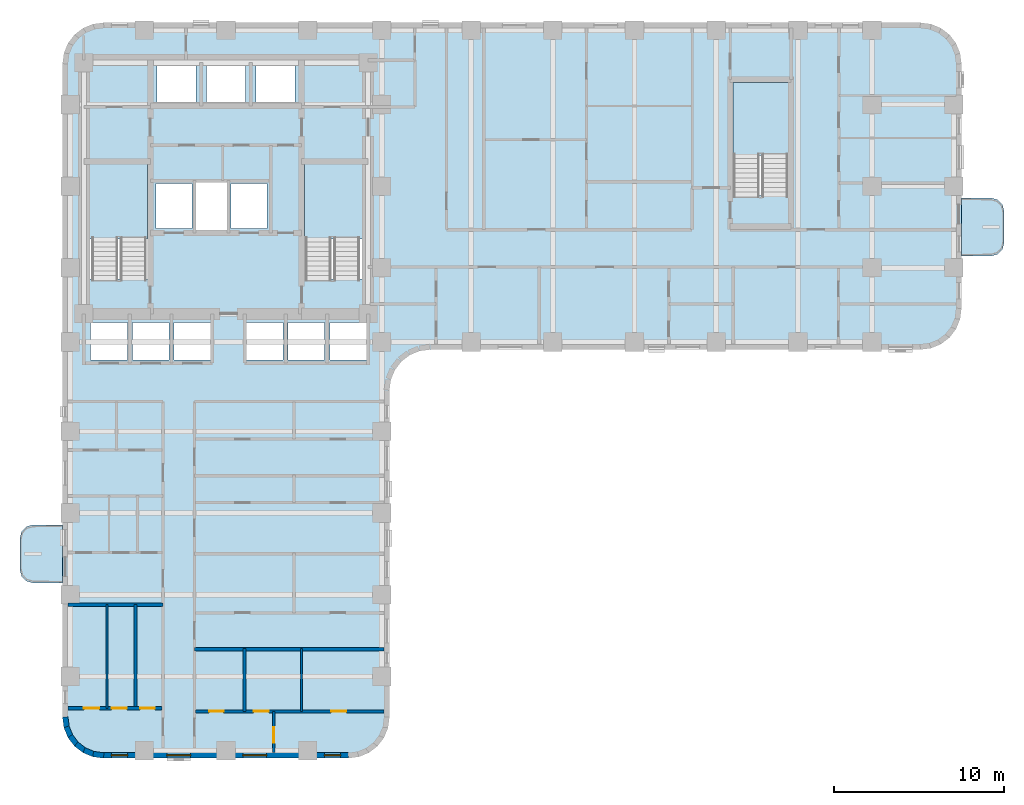
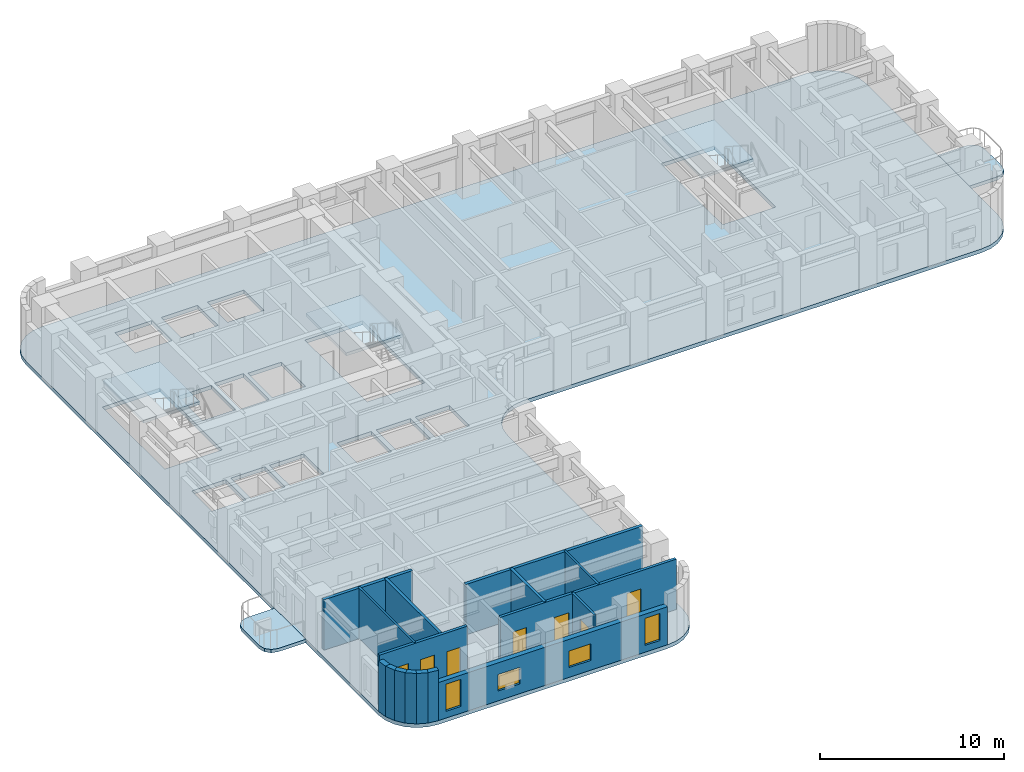
# One storey, part 2 of 12: 16 walls, 7 doors, 6 slabs, 4 windows, 11 openings, 3 elements without a shape of their own.
"""IFC4 building model written with IfcOpenShell, lengths in metres."""

import ifcopenshell
import ifcopenshell.guid

model = None  # the IFC model being written
_history = None  # IfcOwnerHistory: only IFC2X3 demands one
_inside = {}  # id of a spatial element -> (the spatial element, [elements in it])
_under = {}  # id of a project, library or spatial element -> (it, [spatial elements below it])
_declared = {}  # id of a project -> (the project, [libraries it declares])
_typed = {}  # id of a type object -> (the type object, [elements of that type])
_made_of = {}  # id of a material, layer set ... -> (it, [elements and type objects made of it])


def new_model(schema):
    """Start an empty IFC model of exactly this schema.

    Asked for "IFC4X3", IfcOpenShell would pick the latest addendum, in which some entities
    have other attributes; the version numbers below select the first issue.
    IFC2X3 requires an IfcOwnerHistory on every rooted entity: one is made here for all.
    """
    global model, _history
    if schema == "IFC4X3":
        model = ifcopenshell.file(schema_version=(4, 3, 0, 0))
    else:
        model = ifcopenshell.file(schema=schema)
    _inside.clear()
    _under.clear()
    _declared.clear()
    _typed.clear()
    _made_of.clear()
    _history = None
    if model.schema == "IFC2X3":
        org = make("IfcOrganization", Name="unknown")
        user = make(
            "IfcPersonAndOrganization",
            ThePerson=make("IfcPerson", FamilyName="unknown"),
            TheOrganization=org,
        )
        app = make(
            "IfcApplication",
            ApplicationDeveloper=org,
            Version="unknown",
            ApplicationFullName="unknown",
            ApplicationIdentifier="unknown",
        )
        _history = make(
            "IfcOwnerHistory",
            OwningUser=user,
            OwningApplication=app,
            ChangeAction="ADDED",
            CreationDate=0,
        )
    return model


def make(cls, **values):
    """One entity of the class cls with the attributes given. An attribute that is None is left unset."""
    return model.create_entity(
        cls, **{name: value for name, value in values.items() if value is not None}
    )


def rooted(cls, **values):
    """An entity with a GlobalId (a new one), such as an element, a storey or a relation."""
    return make(cls, GlobalId=ifcopenshell.guid.new(), OwnerHistory=_history, **values)


def si_unit(unit_type, name, prefix=None):
    """IfcSIUnit, for example si_unit("LENGTHUNIT", "METRE", prefix="MILLI")."""
    return make("IfcSIUnit", UnitType=unit_type, Prefix=prefix, Name=name)


def assignment(units):
    """IfcUnitAssignment: the units of a project."""
    return None if units is None else make("IfcUnitAssignment", Units=units)


def point(xyz):
    """IfcCartesianPoint."""
    return None if xyz is None else make("IfcCartesianPoint", Coordinates=xyz)


def direction(xyz):
    """IfcDirection."""
    return None if xyz is None else make("IfcDirection", DirectionRatios=xyz)


def frame(location, z_axis=None, x_axis=None):
    """IfcAxis2Placement3D, a coordinate frame: its origin and axes. An axis left out is left unset."""
    return make(
        "IfcAxis2Placement3D",
        Location=point(location),
        Axis=direction(z_axis),
        RefDirection=direction(x_axis),
    )


def frame_2d(location, x_axis=None):
    """IfcAxis2Placement2D, a coordinate frame in the plane: its origin and x axis."""
    return make(
        "IfcAxis2Placement2D", Location=point(location), RefDirection=direction(x_axis)
    )


def origin():
    """The frame at (0, 0, 0) with its axes left unset."""
    return frame((0.0, 0.0, 0.0))


def place(relative_to, where):
    """IfcLocalPlacement: puts the frame where relative to a parent placement (None: the world)."""
    return make(
        "IfcLocalPlacement", PlacementRelTo=relative_to, RelativePlacement=where
    )


def context(
    kind, dimensions, precision=None, world=None, true_north=None, identifier=None
):
    """IfcGeometricRepresentationContext, for example the 3D "Model" context."""
    return make(
        "IfcGeometricRepresentationContext",
        ContextIdentifier=identifier,
        ContextType=kind,
        CoordinateSpaceDimension=dimensions,
        Precision=precision,
        WorldCoordinateSystem=world,
        TrueNorth=true_north,
    )


def subcontext(parent, identifier, kind, view, scale=None):
    """IfcGeometricRepresentationSubContext, for example "Body" below "Model"."""
    return make(
        "IfcGeometricRepresentationSubContext",
        ContextIdentifier=identifier,
        ContextType=kind,
        ParentContext=parent,
        TargetScale=scale,
        TargetView=view,
    )


def project(units=None, contexts=None):
    """IfcProject with its units and contexts."""
    return rooted(
        "IfcProject",
        Name="project",
        RepresentationContexts=contexts,
        UnitsInContext=assignment(units),
    )


def spatial(cls, under=None, at=None, **own):
    """A site, building, storey or space (cls), placed at a placement, below another one or the project."""
    s = rooted(cls, ObjectPlacement=at, **own)
    if under is not None:
        _under.setdefault(under.id(), (under, []))[1].append(s)
    return s


def polyline(points):
    """IfcPolyline through the points."""
    return make("IfcPolyline", Points=[point(p) for p in points])


def profile(cls, at=None, kind="AREA", **sizes):
    """A parametric profile (cls). Its sizes go by their IFC names, for example OverallWidth=200.0."""
    return make(cls, ProfileType=kind, Position=at, **sizes)


def rectangle(**sizes):
    """IfcRectangleProfileDef."""
    return profile("IfcRectangleProfileDef", **sizes)


def outline(outer, holes=None, kind="AREA"):
    """IfcArbitraryClosedProfileDef: a profile drawn as a closed curve; with holes, ...WithVoids."""
    if holes is None:
        return make("IfcArbitraryClosedProfileDef", ProfileType=kind, OuterCurve=outer)
    return make(
        "IfcArbitraryProfileDefWithVoids",
        ProfileType=kind,
        OuterCurve=outer,
        InnerCurves=holes,
    )


def extrude(swept, where, along, depth):
    """IfcExtrudedAreaSolid: the profile swept, set in the frame where, extruded along a direction by depth."""
    return make(
        "IfcExtrudedAreaSolid",
        SweptArea=swept,
        Position=where,
        ExtrudedDirection=direction(along),
        Depth=depth,
    )


def shape(context_of_items, identifier, shape_type, items):
    """IfcShapeRepresentation: the items that make up one representation, for example the "Body"."""
    return make(
        "IfcShapeRepresentation",
        ContextOfItems=context_of_items,
        RepresentationIdentifier=identifier,
        RepresentationType=shape_type,
        Items=items,
    )


def material(Name=None, Category=None):
    """IfcMaterial."""
    return make("IfcMaterial", Name=Name, Category=Category)


def layer(
    of_material, thickness, ventilated=None, Name=None, Category=None, Priority=None
):
    """IfcMaterialLayer: one layer of a wall or slab, of a material (None: an air gap)."""
    return make(
        "IfcMaterialLayer",
        Material=of_material,
        LayerThickness=thickness,
        IsVentilated=ventilated,
        Name=Name,
        Category=Category,
        Priority=Priority,
    )


def layer_set(layers, Name=None):
    """IfcMaterialLayerSet."""
    return make("IfcMaterialLayerSet", MaterialLayers=layers, LayerSetName=Name)


def made_of(thing, what):
    """Note that an element or type object is made of a material, layer set ...; save() writes the relation."""
    if what is not None:
        _made_of.setdefault(what.id(), (what, []))[1].append(thing)
    return thing


def type_object(cls, material=None, **own):
    """A type object (cls), such as IfcWallType, which elements share."""
    return made_of(rooted(cls, **own), material)


def element(
    cls,
    number,
    at=None,
    inside=None,
    cuts=None,
    type_object=None,
    material=None,
    context=None,
    identifier="Body",
    shape_type=None,
    held_by="IfcProductDefinitionShape",
    body=None,
    shapes=None,
    **own,
):
    """One element of the class cls, such as IfcWall. Its Tag is "e" and its number.

    at: its placement. inside: the storey or other place that contains it. cuts: it is an
    opening in that element (IfcRelVoidsElement). A single representation is given by context,
    identifier, shape_type and body (its items); several are given by shapes. held_by: the class
    of the entity that holds the representations. save() writes the other relations.
    """
    e = rooted(cls, Tag="e%d" % number, ObjectPlacement=at, **own)
    if body is not None:
        shapes = [shape(context, identifier, shape_type, body)]
    if shapes is not None:
        e.Representation = make(held_by, Representations=shapes)
    if inside is not None:
        _inside.setdefault(inside.id(), (inside, []))[1].append(e)
    if cuts is not None:
        rooted(
            "IfcRelVoidsElement", RelatingBuildingElement=cuts, RelatedOpeningElement=e
        )
    if type_object is not None:
        _typed.setdefault(type_object.id(), (type_object, []))[1].append(e)
    return made_of(e, material)


def fill(opening, filler):
    """IfcRelFillsElement: the door or window that sits in an opening."""
    return rooted(
        "IfcRelFillsElement",
        RelatingOpeningElement=opening,
        RelatedBuildingElement=filler,
    )


def aggregate(whole, parts):
    """IfcRelAggregates: a whole, such as a stair, and the parts it consists of."""
    return rooted("IfcRelAggregates", RelatingObject=whole, RelatedObjects=parts)


def save(model, path):
    """Write the relations noted so far, then the file.

    IfcRelAggregates (storeys below a building ...), IfcRelContainedInSpatialStructure (elements
    in a storey), IfcRelDefinesByType, IfcRelAssociatesMaterial and IfcRelDeclares: one each for
    every whole, place, type object, material and project.
    """
    for whole, parts in _under.values():
        aggregate(whole, parts)
    for where, things in _inside.values():
        rooted(
            "IfcRelContainedInSpatialStructure",
            RelatedElements=things,
            RelatingStructure=where,
        )
    for kind, things in _typed.values():
        rooted("IfcRelDefinesByType", RelatedObjects=things, RelatingType=kind)
    for what, things in _made_of.values():
        rooted("IfcRelAssociatesMaterial", RelatedObjects=things, RelatingMaterial=what)
    for by, libraries in _declared.values():
        rooted("IfcRelDeclares", RelatingContext=by, RelatedDefinitions=libraries)
    model.write(path)


model = new_model("IFC4")

# Units and contexts
model_context = context("Model", 3, precision=1e-05, world=origin(), true_north=direction((0.0, 1.0)))
body_context = subcontext(model_context, "Body", "Model", "MODEL_VIEW")
ifc_project = project(units=[si_unit("LENGTHUNIT", "METRE"), si_unit("AREAUNIT", "SQUARE_METRE"), si_unit("VOLUMEUNIT", "CUBIC_METRE"), si_unit("PLANEANGLEUNIT", "RADIAN"), si_unit("MASSUNIT", "GRAM", prefix="KILO")], contexts=[model_context])

# Site, building, storey
site_placement = place(None, origin())
site = spatial("IfcSite", under=ifc_project, at=site_placement, CompositionType="ELEMENT")
building_placement = place(site_placement, origin())
building = spatial("IfcBuilding", under=site, at=building_placement, Name="Orvandelia Arch Residences", CompositionType="ELEMENT")
storey_placement = place(building_placement, frame((0.0, 0.0, 35.800048828125)))
storey = spatial("IfcBuildingStorey", under=building, at=storey_placement, Name="L08", CompositionType="ELEMENT", Elevation=35.800048828125)

# Slabs
ifc_material_1 = material(Name="Precast concrete C40/50", Category="concrete")
ifc_layer_1 = layer(ifc_material_1, 0.219970703125, Name="Precast concrete C40/50", Category="concrete")
ifc_layer_set_1 = layer_set([ifc_layer_1], Name="Precast concrete C40/50")
slab_type_1 = type_object("IfcSlabType", Name="SLB-BAL-220", PredefinedType="USERDEFINED", material=ifc_layer_set_1)
slab_1_placement = place(storey_placement, frame((0.0, 0.0, -0.219970703125)))
element("IfcSlab", 1, at=slab_1_placement, inside=storey, type_object=slab_type_1, Name="Tree Balcony Cantilever Slab BAL-L08-W1", ObjectType="BALCONY", PredefinedType="USERDEFINED", context=body_context, shape_type="SweptSolid", body=[
    extrude(outline(polyline([(4.800048828125, 15.10009765625), (4.800048828125, 18.5), (3.050048828125, 18.5), (2.675048828125, 18.3994140625), (2.400390625, 18.125), (2.300048828125, 17.75), (2.300048828125, 15.85009765625), (2.400390625, 15.47509765625), (2.675048828125, 15.200439453125), (3.050048828125, 15.10009765625), (4.800048828125, 15.10009765625)])), origin(), (0.0, 0.0, 1.0), 0.219970703125),
])
slab_2_placement = place(storey_placement, frame((0.0, 0.0, -0.219970703125)))
element("IfcSlab", 2, at=slab_2_placement, inside=storey, type_object=slab_type_1, Name="Tree Balcony Cantilever Slab BAL-L08-E1", ObjectType="BALCONY", PredefinedType="USERDEFINED", context=body_context, shape_type="SweptSolid", body=[
    extrude(outline(polyline([(57.60009765625, 37.699951171875), (57.60009765625, 34.300048828125), (59.35009765625, 34.300048828125), (59.72509765625, 34.400390625), (59.99951171875, 34.675048828125), (60.10009765625, 35.050048828125), (60.10009765625, 36.949951171875), (59.99951171875, 37.324951171875), (59.72509765625, 37.599609375), (59.35009765625, 37.699951171875), (57.60009765625, 37.699951171875)])), origin(), (0.0, 0.0, 1.0), 0.219970703125),
])

# Stair, slab
ifc_material_2 = material(Name="Concrete C40/50", Category="concrete")
stair_type = type_object("IfcStairType", Name="STAIR-RC-DOGLEG", PredefinedType="HALF_TURN_STAIR", material=ifc_material_2)
stair_1_placement = place(storey_placement, origin())
stair_1 = element("IfcStair", 3, at=stair_1_placement, inside=storey, type_object=stair_type, Name="L08 Protected Exit Stair ST-1", PredefinedType="HALF_TURN_STAIR")
ifc_layer_2 = layer(ifc_material_2, 0.219970703125, Name="Concrete C40/50", Category="concrete")
ifc_layer_set_2 = layer_set([ifc_layer_2], Name="Concrete C40/50")
slab_type_2 = type_object("IfcSlabType", Name="SLB-LANDING-220", PredefinedType="LANDING", material=ifc_layer_set_2)
slab_3_placement = place(storey_placement, frame((0.0, 0.0, 1.599853515625)))
slab_3 = element("IfcSlab", 4, at=slab_3_placement, type_object=slab_type_2, Name="ST-1 landing 1", PredefinedType="LANDING", context=body_context, shape_type="SweptSolid", body=[
    extrude(outline(polyline([(9.800048828125, 35.31005859375), (9.800048828125, 39.68994140625), (6.260009765625, 39.68994140625), (6.260009765625, 35.31005859375), (9.800048828125, 35.31005859375)])), origin(), (0.0, 0.0, 1.0), 0.2001953125),
])
aggregate(stair_1, [slab_3])

stair_2_placement = place(storey_placement, origin())
stair_2 = element("IfcStair", 5, at=stair_2_placement, inside=storey, type_object=stair_type, Name="L08 Protected Exit Stair ST-2", PredefinedType="HALF_TURN_STAIR")
slab_4_placement = place(storey_placement, frame((0.0, 0.0, 1.599853515625)))
slab_4 = element("IfcSlab", 6, at=slab_4_placement, type_object=slab_type_2, Name="ST-2 landing 1", PredefinedType="LANDING", context=body_context, shape_type="SweptSolid", body=[
    extrude(outline(polyline([(22.5400390625, 35.31005859375), (22.5400390625, 39.68994140625), (19.0, 39.68994140625), (19.0, 35.31005859375), (22.5400390625, 35.31005859375)])), origin(), (0.0, 0.0, 1.0), 0.2001953125),
])
aggregate(stair_2, [slab_4])

stair_3_placement = place(storey_placement, origin())
stair_3 = element("IfcStair", 7, at=stair_3_placement, inside=storey, type_object=stair_type, Name="L08 East Wing Exit Stair ST-3", PredefinedType="HALF_TURN_STAIR")
slab_5_placement = place(storey_placement, frame((0.0, 0.0, 1.599853515625)))
slab_5 = element("IfcSlab", 8, at=slab_5_placement, type_object=slab_type_2, Name="ST-3 landing 1", PredefinedType="LANDING", context=body_context, shape_type="SweptSolid", body=[
    extrude(outline(polyline([(47.43994140625, 40.2099609375), (47.43994140625, 44.5), (44.179931640625, 44.5), (44.179931640625, 40.2099609375), (47.43994140625, 40.2099609375)])), origin(), (0.0, 0.0, 1.0), 0.2001953125),
])
aggregate(stair_3, [slab_5])

# Slab
ifc_layer_3 = layer(ifc_material_2, 0.25, Name="Concrete C40/50", Category="concrete")
ifc_layer_set_3 = layer_set([ifc_layer_3], Name="Concrete C40/50")
slab_type_3 = type_object("IfcSlabType", Name="SLB-TWR-250", PredefinedType="FLOOR", material=ifc_layer_set_3)
slab_6_placement = place(storey_placement, frame((0.0, 0.0, -0.25)))
element("IfcSlab", 9, at=slab_6_placement, inside=storey, type_object=slab_type_3, Name="Structural Floor Slab L08-1", PredefinedType="FLOOR", context=body_context, shape_type="SweptSolid", body=[
    extrude(outline(polyline([(4.800048828125, 7.199951171875), (4.8818359375, 6.578857421875), (5.12158203125, 6.0), (5.5029296875, 5.5029296875), (6.0, 5.12158203125), (6.578857421875, 4.8818359375), (7.199951171875, 4.800048828125), (21.60009765625, 4.800048828125), (22.22119140625, 4.8818359375), (22.800048828125, 5.12158203125), (23.297119140625, 5.5029296875), (23.678466796875, 6.0), (23.918212890625, 6.578857421875), (24.0, 7.199951171875), (24.0, 26.39990234375), (24.081787109375, 27.021240234375), (24.321533203125, 27.60009765625), (24.702880859375, 28.09716796875), (25.199951171875, 28.478515625), (25.77880859375, 28.71826171875), (26.39990234375, 28.800048828125), (55.199951171875, 28.800048828125), (55.8212890625, 28.8818359375), (56.39990234375, 29.12158203125), (56.897216796875, 29.5029296875), (57.278564453125, 30.0), (57.518310546875, 30.578857421875), (57.60009765625, 31.199951171875), (57.60009765625, 45.60009765625), (57.518310546875, 46.22119140625), (57.278564453125, 46.800048828125), (56.897216796875, 47.297119140625), (56.39990234375, 47.678466796875), (55.8212890625, 47.918212890625), (55.199951171875, 48.0), (7.199951171875, 48.0), (6.578857421875, 47.918212890625), (6.0, 47.678466796875), (5.5029296875, 47.297119140625), (5.12158203125, 46.800048828125), (4.8818359375, 46.22119140625), (4.800048828125, 45.60009765625), (4.800048828125, 7.199951171875)]), holes=[polyline([(6.219970703125, 32.949951171875), (9.840087890625, 32.949951171875), (9.840087890625, 39.72998046875), (6.219970703125, 39.72998046875), (6.219970703125, 32.949951171875)]), polyline([(18.9599609375, 32.949951171875), (22.580078125, 32.949951171875), (22.580078125, 39.72998046875), (18.9599609375, 39.72998046875), (18.9599609375, 32.949951171875)]), polyline([(44.139892578125, 37.85009765625), (47.47998046875, 37.85009765625), (47.47998046875, 44.5400390625), (44.139892578125, 44.5400390625), (44.139892578125, 37.85009765625)]), polyline([(12.639892578125, 35.81005859375), (14.4599609375, 35.81005859375), (14.4599609375, 38.639892578125), (12.639892578125, 38.639892578125), (12.639892578125, 35.81005859375)]), polyline([(10.300048828125, 35.89990234375), (12.39990234375, 35.89990234375), (12.39990234375, 38.550048828125), (10.300048828125, 38.550048828125), (10.300048828125, 35.89990234375)]), polyline([(14.699951171875, 35.89990234375), (16.800048828125, 35.89990234375), (16.800048828125, 38.550048828125), (14.699951171875, 38.550048828125), (14.699951171875, 35.89990234375)]), polyline([(10.35009765625, 43.300048828125), (12.64990234375, 43.300048828125), (12.64990234375, 45.5), (10.35009765625, 45.5), (10.35009765625, 43.300048828125)]), polyline([(13.25, 43.300048828125), (15.550048828125, 43.300048828125), (15.550048828125, 45.5), (13.25, 45.5), (13.25, 43.300048828125)]), polyline([(16.14990234375, 43.300048828125), (18.449951171875, 43.300048828125), (18.449951171875, 45.5), (16.14990234375, 45.5), (16.14990234375, 43.300048828125)]), polyline([(6.449951171875, 28.199951171875), (8.60009765625, 28.199951171875), (8.60009765625, 30.39990234375), (6.449951171875, 30.39990234375), (6.449951171875, 28.199951171875)]), polyline([(8.89990234375, 28.199951171875), (11.050048828125, 28.199951171875), (11.050048828125, 30.39990234375), (8.89990234375, 30.39990234375), (8.89990234375, 28.199951171875)]), polyline([(11.35009765625, 28.199951171875), (13.5, 28.199951171875), (13.5, 30.39990234375), (11.35009765625, 30.39990234375), (11.35009765625, 28.199951171875)]), polyline([(15.60009765625, 28.199951171875), (17.75, 28.199951171875), (17.75, 30.39990234375), (15.60009765625, 30.39990234375), (15.60009765625, 28.199951171875)]), polyline([(18.050048828125, 28.199951171875), (20.199951171875, 28.199951171875), (20.199951171875, 30.39990234375), (18.050048828125, 30.39990234375), (18.050048828125, 28.199951171875)]), polyline([(20.5, 28.199951171875), (22.64990234375, 28.199951171875), (22.64990234375, 30.39990234375), (20.5, 30.39990234375), (20.5, 28.199951171875)])]), origin(), (0.0, 0.0, 1.0), 0.25),
])

# Walls
ifc_layer_4 = layer(ifc_material_2, 0.199951171875, Name="Concrete C40/50", Category="concrete")
ifc_layer_set_4 = layer_set([ifc_layer_4], Name="Concrete C40/50")
wall_type_1 = type_object("IfcWallType", Name="WL-DEM-200", PredefinedType="SOLIDWALL", material=ifc_layer_set_4)
wall_1_placement = place(storey_placement, frame((5.1201171875, 13.800048828125, 0.0), z_axis=(0.0, 0.0, 1.0), x_axis=(1.0, 0.0, 0.0)))
element("IfcWall", 10, at=wall_1_placement, inside=storey, type_object=wall_type_1, Name="Interior Partition Wall WL-L08-DEM-WL-138", PredefinedType="SOLIDWALL", context=body_context, shape_type="SweptSolid", body=[
    extrude(rectangle(XDim=5.579833984375, YDim=0.199951171875, at=frame_2d((2.7900390625, 0.0))), origin(), (0.0, 0.0, 1.0), 3.349853515625),
])
wall_2_placement = place(storey_placement, frame((12.550048828125, 11.199951171875, 0.0), z_axis=(0.0, 0.0, 1.0), x_axis=(1.0, 0.0, 0.0)))
element("IfcWall", 11, at=wall_2_placement, inside=storey, type_object=wall_type_1, Name="Interior Partition Wall WL-L08-DEM-WR-112", PredefinedType="SOLIDWALL", context=body_context, shape_type="SweptSolid", body=[
    extrude(rectangle(XDim=11.1298828125, YDim=0.199951171875, at=frame_2d((5.56494140625, 0.0))), origin(), (0.0, 0.0, 1.0), 3.349853515625),
])

# Wall, openings, windows
ifc_layer_5 = layer(ifc_material_1, 0.320068359375, Name="Precast concrete C40/50", Category="concrete")
ifc_layer_set_5 = layer_set([ifc_layer_5], Name="Precast concrete C40/50")
wall_type_2 = type_object("IfcWallType", Name="WL-EXT-STONE-320", PredefinedType="STANDARD", material=ifc_layer_set_5)
wall_3_placement = place(storey_placement, frame((21.60009765625, 4.9599609375, 0.0), z_axis=(0.0, 0.0, 1.0), x_axis=(-1.0, 0.0, 0.0)))
wall_3 = element("IfcWall", 12, at=wall_3_placement, inside=storey, type_object=wall_type_2, Name="Coral-Limestone Precast Facade Wall L08-035", PredefinedType="STANDARD", context=body_context, shape_type="SweptSolid", body=[
    extrude(rectangle(XDim=14.400146484375, YDim=0.320068359375, at=frame_2d((7.2001953125, 0.0))), origin(), (0.0, 0.0, 1.0), 2.530029296875),
])
opening_1_placement = place(wall_3_placement, frame((12.97998046875, 0.0, 0.449951171875)))
opening_1 = element("IfcOpeningElement", 13, at=opening_1_placement, cuts=wall_3, Name="Opening W4", PredefinedType="OPENING", context=body_context, shape_type="SweptSolid", body=[
    extrude(rectangle(XDim=0.949951171875, YDim=1.800048828125, at=frame_2d((0.47509765625, 0.89990234375))), frame((0.0, 0.169921875, 0.0), z_axis=(0.0, -1.0, 0.0), x_axis=(1.0, 0.0, 0.0)), (0.0, 0.0, 1.0), 0.340087890625),
])
opening_2_placement = place(wall_3_placement, frame((9.27490234375, 0.0, 0.64990234375)))
opening_2 = element("IfcOpeningElement", 14, at=opening_2_placement, cuts=wall_3, Name="Opening W10", PredefinedType="OPENING", context=body_context, shape_type="SweptSolid", body=[
    extrude(rectangle(XDim=1.39990234375, YDim=1.10009765625, at=frame_2d((0.699951171875, 0.550048828125))), frame((0.0, 0.169921875, 0.0), z_axis=(0.0, -1.0, 0.0), x_axis=(1.0, 0.0, 0.0)), (0.0, 0.0, 1.0), 0.340087890625),
])
opening_3_placement = place(wall_3_placement, frame((4.8115234375, 0.0, 0.64990234375)))
opening_3 = element("IfcOpeningElement", 15, at=opening_3_placement, cuts=wall_3, Name="Opening W10", PredefinedType="OPENING", context=body_context, shape_type="SweptSolid", body=[
    extrude(rectangle(XDim=1.39990234375, YDim=1.10009765625, at=frame_2d((0.699951171875, 0.550048828125))), frame((0.0, 0.169921875, 0.0), z_axis=(0.0, -1.0, 0.0), x_axis=(1.0, 0.0, 0.0)), (0.0, 0.0, 1.0), 0.340087890625),
])
opening_4_placement = place(wall_3_placement, frame((0.469970703125, 0.0, 0.449951171875)))
opening_4 = element("IfcOpeningElement", 16, at=opening_4_placement, cuts=wall_3, Name="Opening W4", PredefinedType="OPENING", context=body_context, shape_type="SweptSolid", body=[
    extrude(rectangle(XDim=0.949951171875, YDim=1.800048828125, at=frame_2d((0.47509765625, 0.89990234375))), frame((0.0, 0.169921875, 0.0), z_axis=(0.0, -1.0, 0.0), x_axis=(1.0, 0.0, 0.0)), (0.0, 0.0, 1.0), 0.340087890625),
])
ifc_material_3 = material(Name="Tempered Low-E Insulated Glazing", Category="glass")
window_type_1 = type_object("IfcWindowType", Name="WIN-CLR-1400x1100", PartitioningType="SINGLE_PANEL", PredefinedType="WINDOW", material=ifc_material_3)
window_1_placement = place(opening_2_placement, origin())
window_1 = element("IfcWindow", 17, at=window_1_placement, inside=storey, type_object=window_type_1, Name="Recessed Punched Window L08-027", OverallHeight=1.10009765625, OverallWidth=1.39990234375, PartitioningType="SINGLE_PANEL", PredefinedType="WINDOW", context=body_context, shape_type="SweptSolid", body=[
    extrude(rectangle(XDim=1.39990234375, YDim=1.10009765625, at=frame_2d((0.699951171875, 0.550048828125))), frame((0.0, 0.030029296875, 0.0), z_axis=(0.0, -1.0, 0.0), x_axis=(1.0, 0.0, 0.0)), (0.0, 0.0, 1.0), 0.06005859375),
])
fill(opening_2, window_1)
window_2_placement = place(opening_3_placement, origin())
window_2 = element("IfcWindow", 18, at=window_2_placement, inside=storey, type_object=window_type_1, Name="Recessed Punched Window L08-028", OverallHeight=1.10009765625, OverallWidth=1.39990234375, PartitioningType="SINGLE_PANEL", PredefinedType="WINDOW", context=body_context, shape_type="SweptSolid", body=[
    extrude(rectangle(XDim=1.39990234375, YDim=1.10009765625, at=frame_2d((0.699951171875, 0.550048828125))), frame((0.0, 0.030029296875, 0.0), z_axis=(0.0, -1.0, 0.0), x_axis=(1.0, 0.0, 0.0)), (0.0, 0.0, 1.0), 0.06005859375),
])
fill(opening_3, window_2)
window_type_2 = type_object("IfcWindowType", Name="WIN-RES-0950x1800", PartitioningType="SINGLE_PANEL", PredefinedType="WINDOW", material=ifc_material_3)
window_3_placement = place(opening_1_placement, origin())
window_3 = element("IfcWindow", 19, at=window_3_placement, inside=storey, type_object=window_type_2, Name="Recessed Punched Window L08-026", OverallHeight=1.800048828125, OverallWidth=0.949951171875, PartitioningType="SINGLE_PANEL", PredefinedType="WINDOW", context=body_context, shape_type="SweptSolid", body=[
    extrude(rectangle(XDim=0.949951171875, YDim=1.800048828125, at=frame_2d((0.47509765625, 0.89990234375))), frame((0.0, 0.030029296875, 0.0), z_axis=(0.0, -1.0, 0.0), x_axis=(1.0, 0.0, 0.0)), (0.0, 0.0, 1.0), 0.06005859375),
])
fill(opening_1, window_3)
window_4_placement = place(opening_4_placement, origin())
window_4 = element("IfcWindow", 20, at=window_4_placement, inside=storey, type_object=window_type_2, Name="Recessed Punched Window L08-029", OverallHeight=1.800048828125, OverallWidth=0.949951171875, PartitioningType="SINGLE_PANEL", PredefinedType="WINDOW", context=body_context, shape_type="SweptSolid", body=[
    extrude(rectangle(XDim=0.949951171875, YDim=1.800048828125, at=frame_2d((0.47509765625, 0.89990234375))), frame((0.0, 0.030029296875, 0.0), z_axis=(0.0, -1.0, 0.0), x_axis=(1.0, 0.0, 0.0)), (0.0, 0.0, 1.0), 0.06005859375),
])
fill(opening_4, window_4)

# Walls
wall_4_placement = place(storey_placement, frame((7.220947265625, 4.95849609375, 0.0), z_axis=(0.0, 0.0, 1.0), x_axis=(-0.991447664465, 0.130504898859, 0.0)))
element("IfcWall", 21, at=wall_4_placement, inside=storey, type_object=wall_type_2, Name="Coral-Limestone Precast Facade Wall L08-036", PredefinedType="STANDARD", context=body_context, shape_type="SweptSolid", body=[
    extrude(rectangle(XDim=0.626708984375, YDim=0.320068359375, at=frame_2d((0.3134765625, 0.0))), origin(), (0.0, 0.0, 1.0), 3.349853515625),
])
wall_5_placement = place(storey_placement, frame((6.639892578125, 5.029541015625, 0.0), z_axis=(0.0, 0.0, 1.0), x_axis=(-0.923836271867, 0.382787856107, 0.0)))
element("IfcWall", 22, at=wall_5_placement, inside=storey, type_object=wall_type_2, Name="Coral-Limestone Precast Facade Wall L08-037", PredefinedType="STANDARD", context=body_context, shape_type="SweptSolid", body=[
    extrude(rectangle(XDim=0.626220703125, YDim=0.320068359375, at=frame_2d((0.31298828125, 0.0))), origin(), (0.0, 0.0, 1.0), 3.349853515625),
])
for number, where, z_axis, x_axis, name in (
    (23, (6.097412109375, 5.248291015625, 0.0), (0.0, 0.0, 1.0), (-0.7932174212, 0.608938521285, 0.0), "Coral-Limestone Precast Facade Wall L08-038"),
    (24, (5.6298828125, 5.600341796875, 0.0), (0.0, 0.0, 1.0), (-0.608938521285, 0.7932174212, 0.0), "Coral-Limestone Precast Facade Wall L08-039"),
):
    element("IfcWall", number, at=place(storey_placement, frame(where, z_axis=z_axis, x_axis=x_axis)), inside=storey, type_object=wall_type_2, Name=name, PredefinedType="STANDARD", context=body_context, shape_type="SweptSolid", body=[
        extrude(rectangle(XDim=0.626708984375, YDim=0.320068359375, at=frame_2d((0.3134765625, 0.0))), origin(), (0.0, 0.0, 1.0), 3.349853515625),
    ])
wall_6_placement = place(storey_placement, frame((5.269287109375, 6.061279296875, 0.0), z_axis=(0.0, 0.0, 1.0), x_axis=(-0.382787856107, 0.923836271867, 0.0)))
element("IfcWall", 25, at=wall_6_placement, inside=storey, type_object=wall_type_2, Name="Coral-Limestone Precast Facade Wall L08-040", PredefinedType="STANDARD", context=body_context, shape_type="SweptSolid", body=[
    extrude(rectangle(XDim=0.626220703125, YDim=0.320068359375, at=frame_2d((0.31298828125, 0.0))), origin(), (0.0, 0.0, 1.0), 3.349853515625),
])
wall_7_placement = place(storey_placement, frame((5.040283203125, 6.599609375, 0.0), z_axis=(0.0, 0.0, 1.0), x_axis=(-0.130504898859, 0.991447664465, 0.0)))
element("IfcWall", 26, at=wall_7_placement, inside=storey, type_object=wall_type_2, Name="Coral-Limestone Precast Facade Wall L08-041", PredefinedType="STANDARD", context=body_context, shape_type="SweptSolid", body=[
    extrude(rectangle(XDim=0.626708984375, YDim=0.320068359375, at=frame_2d((0.3134765625, 0.0))), origin(), (0.0, 0.0, 1.0), 3.349853515625),
])
ifc_material_4 = material(Name="Lightweight Gypsum Stud Partition")
ifc_layer_6 = layer(ifc_material_4, 0.1201171875, Name="Lightweight Gypsum Stud Partition")
ifc_layer_set_6 = layer_set([ifc_layer_6], Name="Lightweight Gypsum Stud Partition")
wall_type_3 = type_object("IfcWallType", Name="WL-PART-120", PredefinedType="PARTITIONING", material=ifc_layer_set_6)
wall_8_placement = place(storey_placement, frame((7.404052734375, 7.73193359375, 0.0), z_axis=(0.0, 0.0, 1.0), x_axis=(0.0, 1.0, 0.0)))
element("IfcWall", 27, at=wall_8_placement, inside=storey, type_object=wall_type_3, Name="Interior Partition Wall WL-L08-U01-V1", PredefinedType="PARTITIONING", context=body_context, shape_type="SweptSolid", body=[
    extrude(rectangle(XDim=6.108154296875, YDim=0.1201171875, at=frame_2d((3.05419921875, 0.0))), origin(), (0.0, 0.0, 1.0), 3.349853515625),
])
wall_9_placement = place(storey_placement, frame((18.843017578125, 7.548095703125, 0.0), z_axis=(0.0, 0.0, 1.0), x_axis=(0.0, 1.0, 0.0)))
element("IfcWall", 28, at=wall_9_placement, inside=storey, type_object=wall_type_3, Name="Interior Partition Wall WL-L08-U04-V2", PredefinedType="PARTITIONING", context=body_context, shape_type="SweptSolid", body=[
    extrude(rectangle(XDim=3.69189453125, YDim=0.1201171875, at=frame_2d((1.845947265625, 0.0))), origin(), (0.0, 0.0, 1.0), 3.349853515625),
])

# Wall, opening, door
ifc_material_5 = material(Name="Double-Layer Acoustic Gypsum Partition")
ifc_layer_7 = layer(ifc_material_5, 0.135009765625, Name="Double-Layer Acoustic Gypsum Partition")
ifc_layer_set_7 = layer_set([ifc_layer_7], Name="Double-Layer Acoustic Gypsum Partition")
wall_type_4 = type_object("IfcWallType", Name="WL-PART-135", PredefinedType="PARTITIONING", material=ifc_layer_set_7)
wall_10_placement = place(storey_placement, frame((17.20703125, 5.1201171875, 0.0), z_axis=(0.0, 0.0, 1.0), x_axis=(0.0, 1.0, 0.0)))
wall_10 = element("IfcWall", 29, at=wall_10_placement, inside=storey, type_object=wall_type_4, Name="Interior Partition Wall WL-L08-U04-DIN", PredefinedType="PARTITIONING", context=body_context, shape_type="SweptSolid", body=[
    extrude(rectangle(XDim=2.427978515625, YDim=0.135009765625, at=frame_2d((1.2138671875, 0.0))), origin(), (0.0, 0.0, 1.0), 3.349853515625),
])
opening_5_placement = place(wall_10_placement, frame((0.585693359375, 0.0, 0.0)))
opening_5 = element("IfcOpeningElement", 30, at=opening_5_placement, cuts=wall_10, Name="Opening D3", PredefinedType="OPENING", context=body_context, shape_type="SweptSolid", body=[
    extrude(rectangle(XDim=0.89990234375, YDim=2.14990234375, at=frame_2d((0.449951171875, 1.074951171875))), frame((0.0, 0.07763671875, 0.0), z_axis=(0.0, -1.0, 0.0), x_axis=(1.0, 0.0, 0.0)), (0.0, 0.0, 1.0), 0.155029296875),
])
ifc_material_6 = material(Name="Engineered Timber Flush Door", Category="wood")
door_type_1 = type_object("IfcDoorType", Name="DR-INT-900", OperationType="NOTDEFINED", PredefinedType="DOOR", material=ifc_material_6)
door_1_placement = place(opening_5_placement, origin())
door_1 = element("IfcDoor", 31, at=door_1_placement, inside=storey, type_object=door_type_1, Name="DR-L08-U04-DIN", OperationType="SINGLE_SWING_LEFT", OverallHeight=2.14990234375, OverallWidth=0.89990234375, PredefinedType="DOOR", context=body_context, shape_type="SweptSolid", body=[
    extrude(rectangle(XDim=0.89990234375, YDim=2.14990234375, at=frame_2d((0.449951171875, 1.074951171875))), frame((0.0, 0.02490234375, 0.0), z_axis=(0.0, -1.0, 0.0), x_axis=(1.0, 0.0, 0.0)), (0.0, 0.0, 1.0), 0.050048828125),
])
fill(opening_5, door_1)

# Wall, openings, doors
ifc_material_7 = material(Name="Moisture-Resistant Plumbing Wall")
ifc_layer_8 = layer(ifc_material_7, 0.179931640625, Name="Moisture-Resistant Plumbing Wall")
ifc_layer_set_8 = layer_set([ifc_layer_8], Name="Moisture-Resistant Plumbing Wall")
wall_type_5 = type_object("IfcWallType", Name="WL-WET-180", PredefinedType="PLUMBINGWALL", material=ifc_layer_set_8)
wall_11_placement = place(storey_placement, frame((5.1201171875, 7.73193359375, 0.0), z_axis=(0.0, 0.0, 1.0), x_axis=(1.0, 0.0, 0.0)))
wall_11 = element("IfcWall", 32, at=wall_11_placement, inside=storey, type_object=wall_type_5, Name="Interior Partition Wall WL-L08-U01-HZ", PredefinedType="PLUMBINGWALL", context=body_context, shape_type="SweptSolid", body=[
    extrude(rectangle(XDim=5.519775390625, YDim=0.179931640625, at=frame_2d((2.759765625, 0.0))), origin(), (0.0, 0.0, 1.0), 3.349853515625),
])
opening_6_placement = place(wall_11_placement, frame((0.93701171875, 0.0, 0.0)))
opening_6 = element("IfcOpeningElement", 33, at=opening_6_placement, cuts=wall_11, Name="Opening D3", PredefinedType="OPENING", context=body_context, shape_type="SweptSolid", body=[
    extrude(rectangle(XDim=0.89990234375, YDim=2.14990234375, at=frame_2d((0.449951171875, 1.074951171875))), frame((0.0, 0.10009765625, 0.0), z_axis=(0.0, -1.0, 0.0), x_axis=(1.0, 0.0, 0.0)), (0.0, 0.0, 1.0), 0.199951171875),
])
opening_7_placement = place(wall_11_placement, frame((2.56396484375, 0.0, 0.0)))
opening_7 = element("IfcOpeningElement", 34, at=opening_7_placement, cuts=wall_11, Name="Opening D3", PredefinedType="OPENING", context=body_context, shape_type="SweptSolid", body=[
    extrude(rectangle(XDim=0.89990234375, YDim=2.14990234375, at=frame_2d((0.449951171875, 1.074951171875))), frame((0.0, 0.10009765625, 0.0), z_axis=(0.0, -1.0, 0.0), x_axis=(1.0, 0.0, 0.0)), (0.0, 0.0, 1.0), 0.199951171875),
])
opening_8_placement = place(wall_11_placement, frame((4.238037109375, 0.0, 0.0)))
opening_8 = element("IfcOpeningElement", 35, at=opening_8_placement, cuts=wall_11, Name="Opening D4", PredefinedType="OPENING", context=body_context, shape_type="SweptSolid", body=[
    extrude(rectangle(XDim=0.860107421875, YDim=2.10009765625, at=frame_2d((0.43017578125, 1.050048828125))), frame((0.0, 0.10009765625, 0.0), z_axis=(0.0, -1.0, 0.0), x_axis=(1.0, 0.0, 0.0)), (0.0, 0.0, 1.0), 0.199951171875),
])
door_2_placement = place(opening_6_placement, origin())
door_2 = element("IfcDoor", 36, at=door_2_placement, inside=storey, type_object=door_type_1, Name="DR-L08-U01-STDY", OperationType="SINGLE_SWING_LEFT", OverallHeight=2.14990234375, OverallWidth=0.89990234375, PredefinedType="DOOR", context=body_context, shape_type="SweptSolid", body=[
    extrude(rectangle(XDim=0.89990234375, YDim=2.14990234375, at=frame_2d((0.449951171875, 1.074951171875))), frame((0.0, 0.02490234375, 0.0), z_axis=(0.0, -1.0, 0.0), x_axis=(1.0, 0.0, 0.0)), (0.0, 0.0, 1.0), 0.050048828125),
])
fill(opening_6, door_2)
door_3_placement = place(opening_7_placement, origin())
door_3 = element("IfcDoor", 37, at=door_3_placement, inside=storey, type_object=door_type_1, Name="DR-L08-U01-KIT", OperationType="SINGLE_SWING_RIGHT", OverallHeight=2.14990234375, OverallWidth=0.89990234375, PredefinedType="DOOR", context=body_context, shape_type="SweptSolid", body=[
    extrude(rectangle(XDim=0.89990234375, YDim=2.14990234375, at=frame_2d((0.449951171875, 1.074951171875))), frame((0.0, 0.02490234375, 0.0), z_axis=(0.0, -1.0, 0.0), x_axis=(1.0, 0.0, 0.0)), (0.0, 0.0, 1.0), 0.050048828125),
])
fill(opening_7, door_3)
ifc_material_8 = material(Name="Moisture-Sealed Timber Bathroom Door", Category="wood")
door_type_2 = type_object("IfcDoorType", Name="DR-WET-900", OperationType="NOTDEFINED", PredefinedType="DOOR", material=ifc_material_8)
door_4_placement = place(opening_8_placement, origin())
door_4 = element("IfcDoor", 38, at=door_4_placement, inside=storey, type_object=door_type_2, Name="DR-L08-U01-BTH", OperationType="SINGLE_SWING_LEFT", OverallHeight=2.10009765625, OverallWidth=0.860107421875, PredefinedType="DOOR", context=body_context, shape_type="SweptSolid", body=[
    extrude(rectangle(XDim=0.860107421875, YDim=2.10009765625, at=frame_2d((0.43017578125, 1.050048828125))), frame((0.0, 0.02490234375, 0.0), z_axis=(0.0, -1.0, 0.0), x_axis=(1.0, 0.0, 0.0)), (0.0, 0.0, 1.0), 0.050048828125),
])
fill(opening_8, door_4)

# Wall
wall_12_placement = place(storey_placement, frame((9.077880859375, 7.73193359375, 0.0), z_axis=(0.0, 0.0, 1.0), x_axis=(0.0, 1.0, 0.0)))
element("IfcWall", 39, at=wall_12_placement, inside=storey, type_object=wall_type_5, Name="Interior Partition Wall WL-L08-U01-V2", PredefinedType="PLUMBINGWALL", context=body_context, shape_type="SweptSolid", body=[
    extrude(rectangle(XDim=6.108154296875, YDim=0.179931640625, at=frame_2d((3.05419921875, 0.0))), origin(), (0.0, 0.0, 1.0), 3.349853515625),
])

# Wall, openings, doors
wall_13_placement = place(storey_placement, frame((12.610107421875, 7.548095703125, 0.0), z_axis=(0.0, 0.0, 1.0), x_axis=(1.0, 0.0, 0.0)))
wall_13 = element("IfcWall", 40, at=wall_13_placement, inside=storey, type_object=wall_type_5, Name="Interior Partition Wall WL-L08-U04-HZ", PredefinedType="PLUMBINGWALL", context=body_context, shape_type="SweptSolid", body=[
    extrude(rectangle(XDim=11.06982421875, YDim=0.179931640625, at=frame_2d((5.534912109375, 0.0))), origin(), (0.0, 0.0, 1.0), 3.349853515625),
])
opening_9_placement = place(wall_13_placement, frame((0.795166015625, 0.0, 0.0)))
opening_9 = element("IfcOpeningElement", 41, at=opening_9_placement, cuts=wall_13, Name="Opening D4", PredefinedType="OPENING", context=body_context, shape_type="SweptSolid", body=[
    extrude(rectangle(XDim=0.860107421875, YDim=2.10009765625, at=frame_2d((0.43017578125, 1.050048828125))), frame((0.0, 0.10009765625, 0.0), z_axis=(0.0, -1.0, 0.0), x_axis=(1.0, 0.0, 0.0)), (0.0, 0.0, 1.0), 0.199951171875),
])
opening_10_placement = place(wall_13_placement, frame((3.414306640625, 0.0, 0.0)))
opening_10 = element("IfcOpeningElement", 42, at=opening_10_placement, cuts=wall_13, Name="Opening D3", PredefinedType="OPENING", context=body_context, shape_type="SweptSolid", body=[
    extrude(rectangle(XDim=0.89990234375, YDim=2.14990234375, at=frame_2d((0.449951171875, 1.074951171875))), frame((0.0, 0.10009765625, 0.0), z_axis=(0.0, -1.0, 0.0), x_axis=(1.0, 0.0, 0.0)), (0.0, 0.0, 1.0), 0.199951171875),
])
opening_11_placement = place(wall_13_placement, frame((7.964111328125, 0.0, 0.0)))
opening_11 = element("IfcOpeningElement", 43, at=opening_11_placement, cuts=wall_13, Name="Opening D3", PredefinedType="OPENING", context=body_context, shape_type="SweptSolid", body=[
    extrude(rectangle(XDim=0.89990234375, YDim=2.14990234375, at=frame_2d((0.449951171875, 1.074951171875))), frame((0.0, 0.10009765625, 0.0), z_axis=(0.0, -1.0, 0.0), x_axis=(1.0, 0.0, 0.0)), (0.0, 0.0, 1.0), 0.199951171875),
])
door_5_placement = place(opening_10_placement, origin())
door_5 = element("IfcDoor", 44, at=door_5_placement, inside=storey, type_object=door_type_1, Name="DR-L08-U04-KIT", OperationType="SINGLE_SWING_RIGHT", OverallHeight=2.14990234375, OverallWidth=0.89990234375, PredefinedType="DOOR", context=body_context, shape_type="SweptSolid", body=[
    extrude(rectangle(XDim=0.89990234375, YDim=2.14990234375, at=frame_2d((0.449951171875, 1.074951171875))), frame((0.0, 0.02490234375, 0.0), z_axis=(0.0, -1.0, 0.0), x_axis=(1.0, 0.0, 0.0)), (0.0, 0.0, 1.0), 0.050048828125),
])
fill(opening_10, door_5)
door_6_placement = place(opening_11_placement, origin())
door_6 = element("IfcDoor", 45, at=door_6_placement, inside=storey, type_object=door_type_1, Name="DR-L08-U04-BD1", OperationType="SINGLE_SWING_LEFT", OverallHeight=2.14990234375, OverallWidth=0.89990234375, PredefinedType="DOOR", context=body_context, shape_type="SweptSolid", body=[
    extrude(rectangle(XDim=0.89990234375, YDim=2.14990234375, at=frame_2d((0.449951171875, 1.074951171875))), frame((0.0, 0.02490234375, 0.0), z_axis=(0.0, -1.0, 0.0), x_axis=(1.0, 0.0, 0.0)), (0.0, 0.0, 1.0), 0.050048828125),
])
fill(opening_11, door_6)
door_7_placement = place(opening_9_placement, origin())
door_7 = element("IfcDoor", 46, at=door_7_placement, inside=storey, type_object=door_type_2, Name="DR-L08-U04-BTH", OperationType="SINGLE_SWING_LEFT", OverallHeight=2.10009765625, OverallWidth=0.860107421875, PredefinedType="DOOR", context=body_context, shape_type="SweptSolid", body=[
    extrude(rectangle(XDim=0.860107421875, YDim=2.10009765625, at=frame_2d((0.43017578125, 1.050048828125))), frame((0.0, 0.02490234375, 0.0), z_axis=(0.0, -1.0, 0.0), x_axis=(1.0, 0.0, 0.0)), (0.0, 0.0, 1.0), 0.050048828125),
])
fill(opening_9, door_7)

# Wall
wall_14_placement = place(storey_placement, frame((15.47705078125, 7.548095703125, 0.0), z_axis=(0.0, 0.0, 1.0), x_axis=(0.0, 1.0, 0.0)))
element("IfcWall", 47, at=wall_14_placement, inside=storey, type_object=wall_type_5, Name="Interior Partition Wall WL-L08-U04-V1", PredefinedType="PLUMBINGWALL", context=body_context, shape_type="SweptSolid", body=[
    extrude(rectangle(XDim=3.69189453125, YDim=0.179931640625, at=frame_2d((1.845947265625, 0.0))), origin(), (0.0, 0.0, 1.0), 3.349853515625),
])

save(model, "model.ifc")
